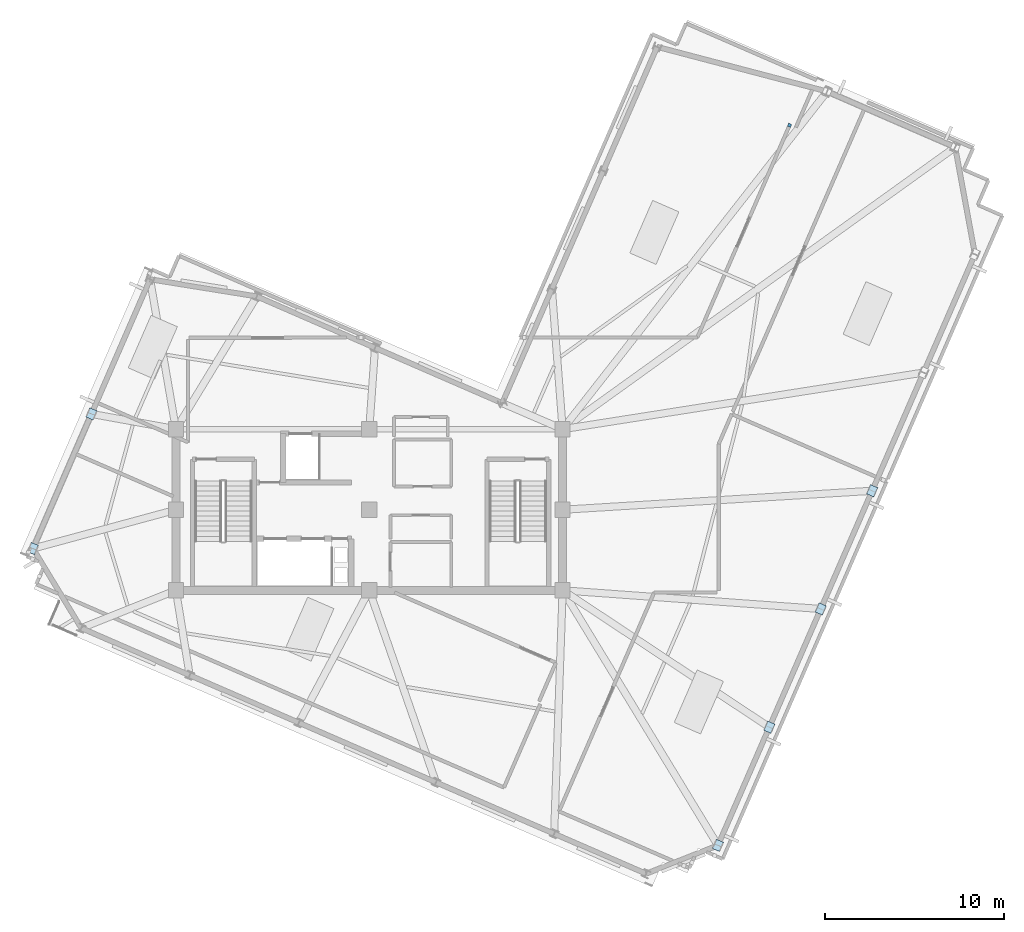
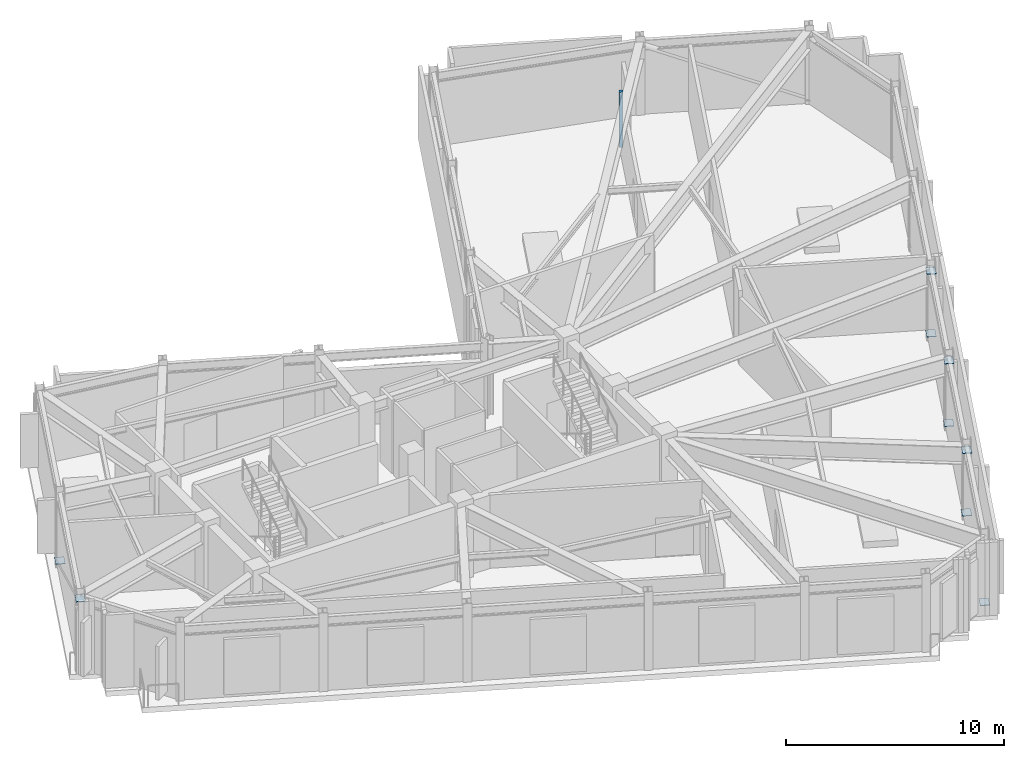
# One storey, part 5 of 11: 10 plates.
"""IFC4 building model written with IfcOpenShell, lengths in metres."""

from ifc_helpers import new_model, si_unit, direction, frame, origin, origin_2d, place, context, subcontext, project, spatial, rectangle, extrude, material, layer, layer_set, type_object, element, save


model = new_model("IFC4")

# Units and contexts
model_context = context("Model", 3, precision=1e-05, world=origin(), true_north=direction((0.0, 1.0)))
body_context = subcontext(model_context, "Body", "Model", "MODEL_VIEW")
ifc_project = project(units=[si_unit("LENGTHUNIT", "METRE"), si_unit("AREAUNIT", "SQUARE_METRE"), si_unit("VOLUMEUNIT", "CUBIC_METRE"), si_unit("PLANEANGLEUNIT", "RADIAN"), si_unit("MASSUNIT", "GRAM", prefix="KILO")], contexts=[model_context])

# Site, building, storey
site_placement = place(None, origin())
site = spatial("IfcSite", under=ifc_project, at=site_placement, CompositionType="ELEMENT")
building_placement = place(site_placement, origin())
building = spatial("IfcBuilding", under=site, at=building_placement, Name="Gaonmaruhae Medical Tower", CompositionType="ELEMENT")
storey_placement = place(building_placement, frame((0.0, 0.0, 338.199951171875)))
storey = spatial("IfcBuildingStorey", under=building, at=storey_placement, Name="L81", CompositionType="ELEMENT", Elevation=338.199951171875)

# Plates
ifc_material_1 = material(Name="Steel HSA650 (650 MPa)", Category="steel")
ifc_layer_1 = layer(ifc_material_1, 0.028076171875)
ifc_layer_set_1 = layer_set([ifc_layer_1], Name="Steel HSA650 (650 MPa)")
plate_type_1 = type_object("IfcPlateType", Name="GP-02 Tube Brace End Cap Gusset Plate", PredefinedType="USERDEFINED", material=ifc_layer_set_1)
for number, where, z_axis, x_axis, name in (
    (1, (9.283447265625, 17.653564453125, 0.23583984375), (0.0, 0.0, 1.0), (0.398749068925, 0.917060074385, 0.0), "L81 Gusset Cap Plate PLT-L81-PBR-N02A"),
    (2, (6.013671875, 10.133544921875, 3.8359375), (0.0, 0.0, 1.0), (0.398749068925, 0.917060074385, 0.0), "L81 Gusset Cap Plate PLT-L81-PBR-N02B"),
    (3, (44.275146484375, -6.448486328125, 0.2861328125), (0.0, 0.0, 1.0), (0.398749068925, 0.917060074385, 0.0), "L81 Gusset Cap Plate PLT-L81-CFS1A"),
    (4, (47.14599609375, 0.154296875, 3.7861328125), (0.0, 0.0, 1.0), (0.398749068925, 0.917060074385, 0.0), "L81 Gusset Cap Plate PLT-L81-CFS1B"),
    (5, (47.14599609375, 0.154296875, 0.2861328125), (0.0, 0.0, 1.0), (0.398749068925, 0.917060074385, 0.0), "L81 Gusset Cap Plate PLT-L81-CFS2A"),
    (6, (50.01708984375, 6.75732421875, 3.7861328125), (0.0, 0.0, 1.0), (0.398749068925, 0.917060074385, 0.0), "L81 Gusset Cap Plate PLT-L81-CFS2B"),
    (7, (50.01708984375, 6.75732421875, 0.2861328125), (0.0, 0.0, 1.0), (0.398749068925, 0.917060074385, 0.0), "L81 Gusset Cap Plate PLT-L81-CFS3A"),
    (8, (52.88818359375, 13.360107421875, 3.7861328125), (0.0, 0.0, 1.0), (0.398749068925, 0.917060074385, 0.0), "L81 Gusset Cap Plate PLT-L81-CFS3B"),
    (9, (52.88818359375, 13.360107421875, 0.2861328125), (0.0, 0.0, 1.0), (0.398749068925, 0.917060074385, 0.0), "L81 Gusset Cap Plate PLT-L81-CFS4A"),
):
    element("IfcPlate", number, at=place(storey_placement, frame(where, z_axis=z_axis, x_axis=x_axis)), inside=storey, type_object=plate_type_1, Name=name, ObjectType="GUSSET_PLATE", PredefinedType="USERDEFINED", context=body_context, shape_type="SweptSolid", body=[
        extrude(rectangle(XDim=0.56005859375, YDim=0.43994140625, at=origin_2d()), origin(), (0.0, 0.0, 1.0), 0.028076171875),
    ])
ifc_material_2 = material(Name="Anodised aluminium 6063-T6", Category="aluminium")
ifc_layer_2 = layer(ifc_material_2, 0.011962890625)
ifc_layer_set_2 = layer_set([ifc_layer_2], Name="Anodised aluminium 6063-T6")
plate_type_2 = type_object("IfcPlateType", Name="PP-01 Interior Partition Corner Stiffener Plate", PredefinedType="SHEET", material=ifc_layer_set_2)
plate_placement = place(storey_placement, frame((48.27490234375, 33.7724609375, 0.0), z_axis=(0.0, 0.0, 1.0), x_axis=(-0.398765074582, -0.917053114761, 0.0)))
element("IfcPlate", 10, at=plate_placement, inside=storey, type_object=plate_type_2, Name="L81 Partition End Jamb Post Plate PLT-L81-ENDP-PW032-0", PredefinedType="SHEET", context=body_context, shape_type="SweptSolid", body=[
    extrude(rectangle(XDim=0.179931640625, YDim=0.179931640625, at=origin_2d()), origin(), (0.0, 0.0, 1.0), 3.0849609375),
])

save(model, "model.ifc")
